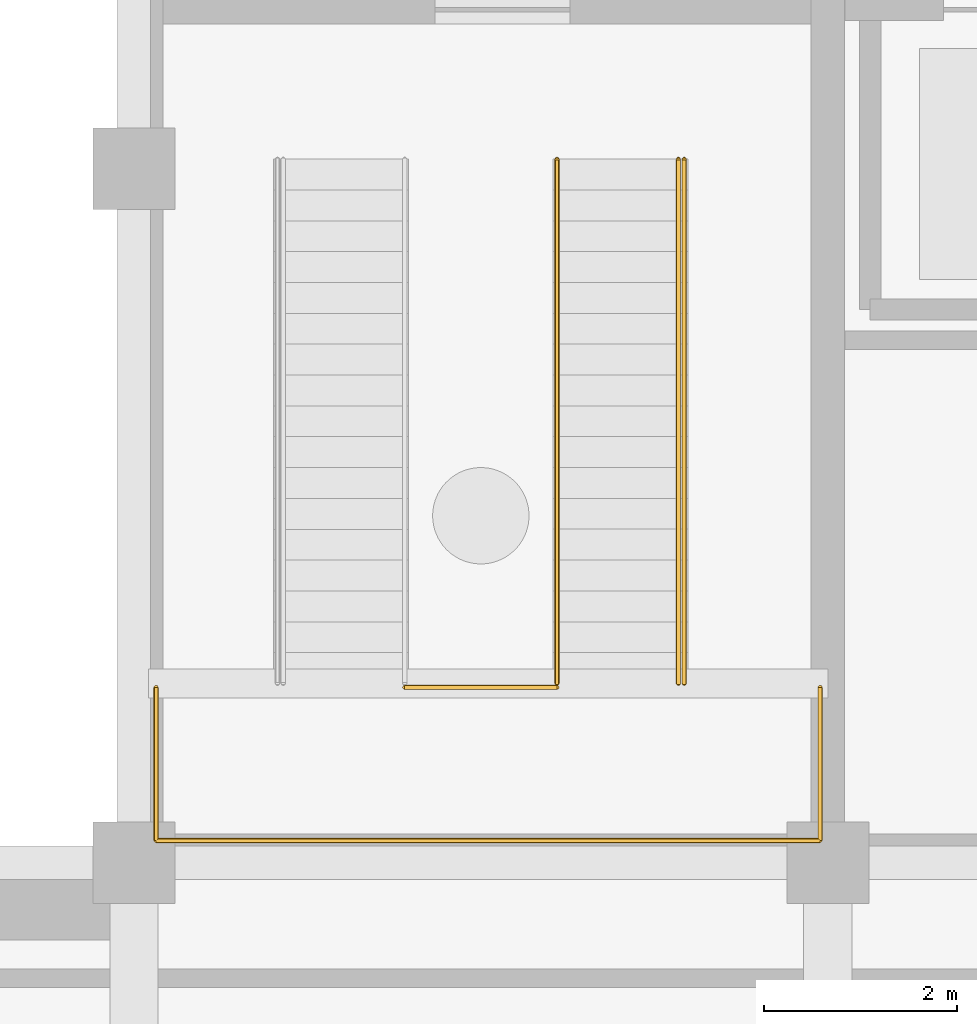
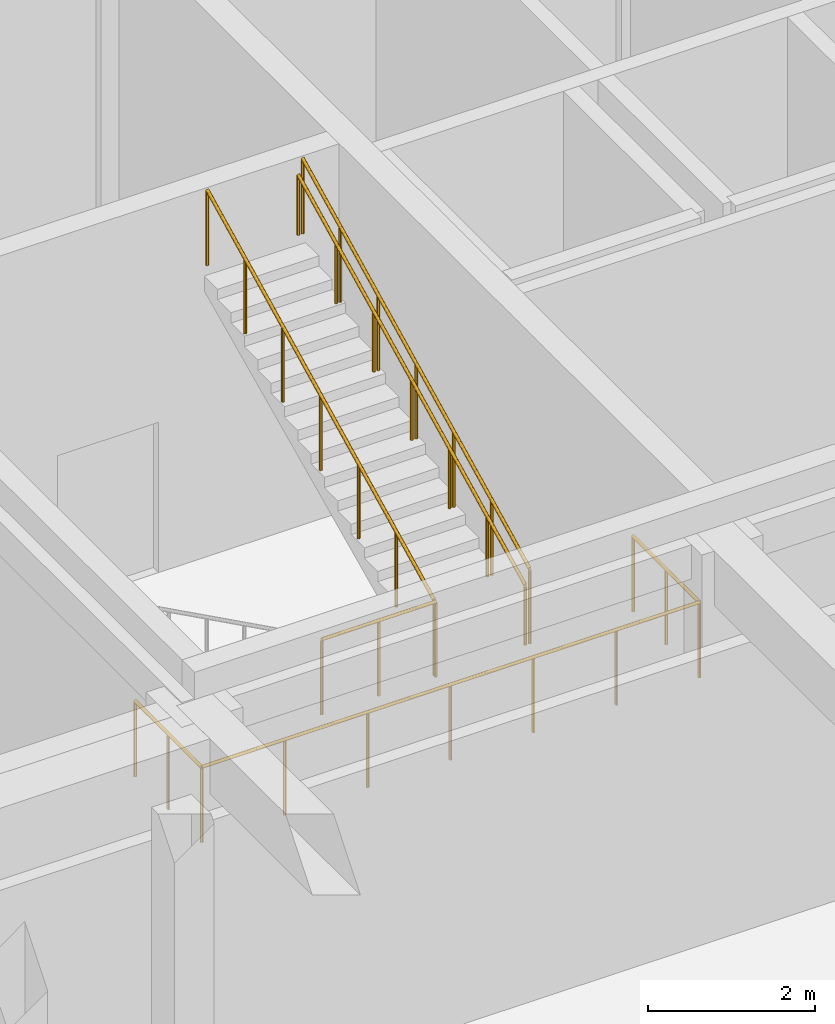
# One storey, part 14 of 15: 5 railings.
"""IFC4 building model written with IfcOpenShell, lengths in metres."""

import ifcopenshell
import ifcopenshell.guid

model = None  # the IFC model being written
_history = None  # IfcOwnerHistory: only IFC2X3 demands one
_inside = {}  # id of a spatial element -> (the spatial element, [elements in it])
_under = {}  # id of a project, library or spatial element -> (it, [spatial elements below it])
_declared = {}  # id of a project -> (the project, [libraries it declares])
_typed = {}  # id of a type object -> (the type object, [elements of that type])
_made_of = {}  # id of a material, layer set ... -> (it, [elements and type objects made of it])


def new_model(schema):
    """Start an empty IFC model of exactly this schema.

    Asked for "IFC4X3", IfcOpenShell would pick the latest addendum, in which some entities
    have other attributes; the version numbers below select the first issue.
    IFC2X3 requires an IfcOwnerHistory on every rooted entity: one is made here for all.
    """
    global model, _history
    if schema == "IFC4X3":
        model = ifcopenshell.file(schema_version=(4, 3, 0, 0))
    else:
        model = ifcopenshell.file(schema=schema)
    _inside.clear()
    _under.clear()
    _declared.clear()
    _typed.clear()
    _made_of.clear()
    _history = None
    if model.schema == "IFC2X3":
        org = make("IfcOrganization", Name="unknown")
        user = make(
            "IfcPersonAndOrganization",
            ThePerson=make("IfcPerson", FamilyName="unknown"),
            TheOrganization=org,
        )
        app = make(
            "IfcApplication",
            ApplicationDeveloper=org,
            Version="unknown",
            ApplicationFullName="unknown",
            ApplicationIdentifier="unknown",
        )
        _history = make(
            "IfcOwnerHistory",
            OwningUser=user,
            OwningApplication=app,
            ChangeAction="ADDED",
            CreationDate=0,
        )
    return model


def make(cls, **values):
    """One entity of the class cls with the attributes given. An attribute that is None is left unset."""
    return model.create_entity(
        cls, **{name: value for name, value in values.items() if value is not None}
    )


def rooted(cls, **values):
    """An entity with a GlobalId (a new one), such as an element, a storey or a relation."""
    return make(cls, GlobalId=ifcopenshell.guid.new(), OwnerHistory=_history, **values)


def si_unit(unit_type, name, prefix=None):
    """IfcSIUnit, for example si_unit("LENGTHUNIT", "METRE", prefix="MILLI")."""
    return make("IfcSIUnit", UnitType=unit_type, Prefix=prefix, Name=name)


def assignment(units):
    """IfcUnitAssignment: the units of a project."""
    return None if units is None else make("IfcUnitAssignment", Units=units)


def point(xyz):
    """IfcCartesianPoint."""
    return None if xyz is None else make("IfcCartesianPoint", Coordinates=xyz)


def direction(xyz):
    """IfcDirection."""
    return None if xyz is None else make("IfcDirection", DirectionRatios=xyz)


def frame(location, z_axis=None, x_axis=None):
    """IfcAxis2Placement3D, a coordinate frame: its origin and axes. An axis left out is left unset."""
    return make(
        "IfcAxis2Placement3D",
        Location=point(location),
        Axis=direction(z_axis),
        RefDirection=direction(x_axis),
    )


def frame_2d(location, x_axis=None):
    """IfcAxis2Placement2D, a coordinate frame in the plane: its origin and x axis."""
    return make(
        "IfcAxis2Placement2D", Location=point(location), RefDirection=direction(x_axis)
    )


def origin():
    """The frame at (0, 0, 0) with its axes left unset."""
    return frame((0.0, 0.0, 0.0))


def origin_2d():
    """The frame at (0, 0) in the plane with its x axis left unset."""
    return frame_2d((0.0, 0.0))


def place(relative_to, where):
    """IfcLocalPlacement: puts the frame where relative to a parent placement (None: the world)."""
    return make(
        "IfcLocalPlacement", PlacementRelTo=relative_to, RelativePlacement=where
    )


def context(
    kind, dimensions, precision=None, world=None, true_north=None, identifier=None
):
    """IfcGeometricRepresentationContext, for example the 3D "Model" context."""
    return make(
        "IfcGeometricRepresentationContext",
        ContextIdentifier=identifier,
        ContextType=kind,
        CoordinateSpaceDimension=dimensions,
        Precision=precision,
        WorldCoordinateSystem=world,
        TrueNorth=true_north,
    )


def subcontext(parent, identifier, kind, view, scale=None):
    """IfcGeometricRepresentationSubContext, for example "Body" below "Model"."""
    return make(
        "IfcGeometricRepresentationSubContext",
        ContextIdentifier=identifier,
        ContextType=kind,
        ParentContext=parent,
        TargetScale=scale,
        TargetView=view,
    )


def project(units=None, contexts=None):
    """IfcProject with its units and contexts."""
    return rooted(
        "IfcProject",
        Name="project",
        RepresentationContexts=contexts,
        UnitsInContext=assignment(units),
    )


def spatial(cls, under=None, at=None, **own):
    """A site, building, storey or space (cls), placed at a placement, below another one or the project."""
    s = rooted(cls, ObjectPlacement=at, **own)
    if under is not None:
        _under.setdefault(under.id(), (under, []))[1].append(s)
    return s


def profile(cls, at=None, kind="AREA", **sizes):
    """A parametric profile (cls). Its sizes go by their IFC names, for example OverallWidth=200.0."""
    return make(cls, ProfileType=kind, Position=at, **sizes)


def circle(**sizes):
    """IfcCircleProfileDef."""
    return profile("IfcCircleProfileDef", **sizes)


def extrude(swept, where, along, depth):
    """IfcExtrudedAreaSolid: the profile swept, set in the frame where, extruded along a direction by depth."""
    return make(
        "IfcExtrudedAreaSolid",
        SweptArea=swept,
        Position=where,
        ExtrudedDirection=direction(along),
        Depth=depth,
    )


def shape(context_of_items, identifier, shape_type, items):
    """IfcShapeRepresentation: the items that make up one representation, for example the "Body"."""
    return make(
        "IfcShapeRepresentation",
        ContextOfItems=context_of_items,
        RepresentationIdentifier=identifier,
        RepresentationType=shape_type,
        Items=items,
    )


def material(Name=None, Category=None):
    """IfcMaterial."""
    return make("IfcMaterial", Name=Name, Category=Category)


def made_of(thing, what):
    """Note that an element or type object is made of a material, layer set ...; save() writes the relation."""
    if what is not None:
        _made_of.setdefault(what.id(), (what, []))[1].append(thing)
    return thing


def type_object(cls, material=None, **own):
    """A type object (cls), such as IfcWallType, which elements share."""
    return made_of(rooted(cls, **own), material)


def element(
    cls,
    number,
    at=None,
    inside=None,
    cuts=None,
    type_object=None,
    material=None,
    context=None,
    identifier="Body",
    shape_type=None,
    held_by="IfcProductDefinitionShape",
    body=None,
    shapes=None,
    **own,
):
    """One element of the class cls, such as IfcWall. Its Tag is "e" and its number.

    at: its placement. inside: the storey or other place that contains it. cuts: it is an
    opening in that element (IfcRelVoidsElement). A single representation is given by context,
    identifier, shape_type and body (its items); several are given by shapes. held_by: the class
    of the entity that holds the representations. save() writes the other relations.
    """
    e = rooted(cls, Tag="e%d" % number, ObjectPlacement=at, **own)
    if body is not None:
        shapes = [shape(context, identifier, shape_type, body)]
    if shapes is not None:
        e.Representation = make(held_by, Representations=shapes)
    if inside is not None:
        _inside.setdefault(inside.id(), (inside, []))[1].append(e)
    if cuts is not None:
        rooted(
            "IfcRelVoidsElement", RelatingBuildingElement=cuts, RelatedOpeningElement=e
        )
    if type_object is not None:
        _typed.setdefault(type_object.id(), (type_object, []))[1].append(e)
    return made_of(e, material)


def aggregate(whole, parts):
    """IfcRelAggregates: a whole, such as a stair, and the parts it consists of."""
    return rooted("IfcRelAggregates", RelatingObject=whole, RelatedObjects=parts)


def save(model, path):
    """Write the relations noted so far, then the file.

    IfcRelAggregates (storeys below a building ...), IfcRelContainedInSpatialStructure (elements
    in a storey), IfcRelDefinesByType, IfcRelAssociatesMaterial and IfcRelDeclares: one each for
    every whole, place, type object, material and project.
    """
    for whole, parts in _under.values():
        aggregate(whole, parts)
    for where, things in _inside.values():
        rooted(
            "IfcRelContainedInSpatialStructure",
            RelatedElements=things,
            RelatingStructure=where,
        )
    for kind, things in _typed.values():
        rooted("IfcRelDefinesByType", RelatedObjects=things, RelatingType=kind)
    for what, things in _made_of.values():
        rooted("IfcRelAssociatesMaterial", RelatedObjects=things, RelatingMaterial=what)
    for by, libraries in _declared.values():
        rooted("IfcRelDeclares", RelatingContext=by, RelatedDefinitions=libraries)
    model.write(path)


model = new_model("IFC4")

# Units and contexts
model_context = context("Model", 3, precision=1e-05, world=origin(), true_north=direction((0.0, 1.0)))
body_context = subcontext(model_context, "Body", "Model", "MODEL_VIEW")
ifc_project = project(units=[si_unit("LENGTHUNIT", "METRE"), si_unit("AREAUNIT", "SQUARE_METRE"), si_unit("VOLUMEUNIT", "CUBIC_METRE"), si_unit("PLANEANGLEUNIT", "RADIAN"), si_unit("MASSUNIT", "GRAM", prefix="KILO")], contexts=[model_context])

# Site, building, storey
site_placement = place(None, origin())
site = spatial("IfcSite", under=ifc_project, at=site_placement, CompositionType="ELEMENT")
building_placement = place(site_placement, origin())
building = spatial("IfcBuilding", under=site, at=building_placement, Name="Leyfeld Transit Interchange", CompositionType="ELEMENT")
storey_placement = place(building_placement, frame((0.0, 0.0, -10.800048828125)))
storey = spatial("IfcBuildingStorey", under=building, at=storey_placement, Name="B02", CompositionType="ELEMENT", Elevation=-10.800048828125)

# Railings
ifc_material = material(Name="Stainless steel EN 1.4404", Category="steel")
railing_type_1 = type_object("IfcRailingType", Name="RL-STR-GRD-1100", PredefinedType="GUARDRAIL", material=ifc_material)
railing_1_placement = place(storey_placement, frame((139.610107421875, 59.419921875, 2.699951171875)))
element("IfcRailing", 1, at=railing_1_placement, inside=storey, type_object=railing_type_1, Name="Stair ST-04 B02 Half-Landing Inner Guard", PredefinedType="GUARDRAIL", context=body_context, shape_type="SweptSolid", body=[
    extrude(circle(Radius=0.02392578125, at=origin_2d()), frame((0.0, 0.0, 1.09619140625), z_axis=(1.0, 0.0, 0.0), x_axis=(0.0, 1.0, 0.0)), (0.0, 0.0, 1.0), 1.579833984375),
    extrude(circle(Radius=0.02099609375, at=origin_2d()), origin(), (0.0, 0.0, 1.0), 1.072021484375),
    extrude(circle(Radius=0.02099609375, at=origin_2d()), frame((0.7900390625, 0.0, 0.0)), (0.0, 0.0, 1.0), 1.072021484375),
    extrude(circle(Radius=0.02099609375, at=origin_2d()), frame((1.579833984375, 0.0, 0.0)), (0.0, 0.0, 1.0), 1.072021484375),
])
railing_2_placement = place(storey_placement, frame((137.030029296875, 59.419921875, 2.699951171875)))
element("IfcRailing", 2, at=railing_2_placement, inside=storey, type_object=railing_type_1, Name="Stair ST-04 B02 Half-Landing Perimeter Guard", PredefinedType="GUARDRAIL", context=body_context, shape_type="SweptSolid", body=[
    extrude(circle(Radius=0.02392578125, at=origin_2d()), frame((0.0, 0.0, 1.09619140625), z_axis=(0.0, -1.0, 0.0), x_axis=(1.0, 0.0, 0.0)), (0.0, 0.0, 1.0), 1.58984375),
    extrude(circle(Radius=0.02392578125, at=origin_2d()), frame((0.0, -1.58984375, 1.09619140625), z_axis=(1.0, 0.0, 0.0), x_axis=(0.0, 1.0, 0.0)), (0.0, 0.0, 1.0), 6.889892578125),
    extrude(circle(Radius=0.02392578125, at=origin_2d()), frame((6.889892578125, -1.58984375, 1.09619140625), z_axis=(0.0, 1.0, 0.0), x_axis=(-1.0, 0.0, 0.0)), (0.0, 0.0, 1.0), 1.58984375),
    extrude(circle(Radius=0.02099609375, at=origin_2d()), origin(), (0.0, 0.0, 1.0), 1.072021484375),
    extrude(circle(Radius=0.02099609375, at=origin_2d()), frame((0.0, -0.794921875, 0.0)), (0.0, 0.0, 1.0), 1.072021484375),
    extrude(circle(Radius=0.02099609375, at=origin_2d()), frame((0.0, -1.58984375, 0.0)), (0.0, 0.0, 1.0), 1.072021484375),
    extrude(circle(Radius=0.02099609375, at=origin_2d()), frame((1.1484375, -1.58984375, 0.0)), (0.0, 0.0, 1.0), 1.072021484375),
    extrude(circle(Radius=0.02099609375, at=origin_2d()), frame((2.296630859375, -1.58984375, 0.0)), (0.0, 0.0, 1.0), 1.072021484375),
    extrude(circle(Radius=0.02099609375, at=origin_2d()), frame((3.44482421875, -1.58984375, 0.0)), (0.0, 0.0, 1.0), 1.072021484375),
    extrude(circle(Radius=0.02099609375, at=origin_2d()), frame((4.59326171875, -1.58984375, 0.0)), (0.0, 0.0, 1.0), 1.072021484375),
    extrude(circle(Radius=0.02099609375, at=origin_2d()), frame((5.74169921875, -1.58984375, 0.0)), (0.0, 0.0, 1.0), 1.072021484375),
    extrude(circle(Radius=0.02099609375, at=origin_2d()), frame((6.889892578125, -1.58984375, 0.0)), (0.0, 0.0, 1.0), 1.072021484375),
    extrude(circle(Radius=0.02099609375, at=origin_2d()), frame((6.889892578125, -0.794921875, 0.0)), (0.0, 0.0, 1.0), 1.072021484375),
    extrude(circle(Radius=0.02099609375, at=origin_2d()), frame((6.889892578125, 0.0, 0.0)), (0.0, 0.0, 1.0), 1.072021484375),
])
for number, where, name in (
    (3, (141.18994140625, 59.4599609375, 2.699951171875), "Stair ST-04 B02 F2 Inner Guard"),
    (4, (142.510009765625, 59.4599609375, 2.699951171875), "Stair ST-04 B02 F2 Outer Guard"),
):
    element("IfcRailing", number, at=place(storey_placement, frame(where)), inside=storey, type_object=railing_type_1, Name=name, PredefinedType="GUARDRAIL", context=body_context, shape_type="SweptSolid", body=[
        extrude(circle(Radius=0.02392578125, at=origin_2d()), frame((0.0, 0.0, 1.09619140625), z_axis=(0.0, 0.895725862372, 0.444606769492), x_axis=(-1.0, 0.0, 0.0)), (0.0, 0.0, 1.0), 6.0732421875),
        extrude(circle(Radius=0.02099609375, at=origin_2d()), origin(), (0.0, 0.0, 1.0), 1.072021484375),
        extrude(circle(Radius=0.02099609375, at=origin_2d()), frame((0.0, 0.90673828125, 0.449951171875)), (0.0, 0.0, 1.0), 1.072021484375),
        extrude(circle(Radius=0.02099609375, at=origin_2d()), frame((0.0, 1.813232421875, 0.900146484375)), (0.0, 0.0, 1.0), 1.072021484375),
        extrude(circle(Radius=0.02099609375, at=origin_2d()), frame((0.0, 2.719970703125, 1.35009765625)), (0.0, 0.0, 1.0), 1.072021484375),
        extrude(circle(Radius=0.02099609375, at=origin_2d()), frame((0.0, 3.626708984375, 1.800048828125)), (0.0, 0.0, 1.0), 1.072021484375),
        extrude(circle(Radius=0.02099609375, at=origin_2d()), frame((0.0, 4.533203125, 2.250244140625)), (0.0, 0.0, 1.0), 1.072021484375),
        extrude(circle(Radius=0.02099609375, at=origin_2d()), frame((0.0, 5.43994140625, 2.7001953125)), (0.0, 0.0, 1.0), 1.072021484375),
    ])
railing_type_2 = type_object("IfcRailingType", Name="RL-STR-HND-900", PredefinedType="HANDRAIL", material=ifc_material)
railing_3_placement = place(storey_placement, frame((142.449951171875, 59.4599609375, 2.699951171875)))
element("IfcRailing", 5, at=railing_3_placement, inside=storey, type_object=railing_type_2, Name="Stair ST-04 B02 F2 Handrail", PredefinedType="HANDRAIL", context=body_context, shape_type="SweptSolid", body=[
    extrude(circle(Radius=0.02392578125, at=origin_2d()), frame((0.0, 0.0, 0.8759765625), z_axis=(0.0, 0.895725862372, 0.444606769492), x_axis=(-1.0, 0.0, 0.0)), (0.0, 0.0, 1.0), 6.0732421875),
    extrude(circle(Radius=0.02099609375, at=origin_2d()), origin(), (0.0, 0.0, 1.0), 0.851806640625),
    extrude(circle(Radius=0.02099609375, at=origin_2d()), frame((0.0, 0.90673828125, 0.449951171875)), (0.0, 0.0, 1.0), 0.851806640625),
    extrude(circle(Radius=0.02099609375, at=origin_2d()), frame((0.0, 1.813232421875, 0.900146484375)), (0.0, 0.0, 1.0), 0.851806640625),
    extrude(circle(Radius=0.02099609375, at=origin_2d()), frame((0.0, 2.719970703125, 1.35009765625)), (0.0, 0.0, 1.0), 0.851806640625),
    extrude(circle(Radius=0.02099609375, at=origin_2d()), frame((0.0, 3.626708984375, 1.800048828125)), (0.0, 0.0, 1.0), 0.851806640625),
    extrude(circle(Radius=0.02099609375, at=origin_2d()), frame((0.0, 4.533203125, 2.250244140625)), (0.0, 0.0, 1.0), 0.851806640625),
    extrude(circle(Radius=0.02099609375, at=origin_2d()), frame((0.0, 5.43994140625, 2.7001953125)), (0.0, 0.0, 1.0), 0.851806640625),
])

save(model, "model.ifc")
